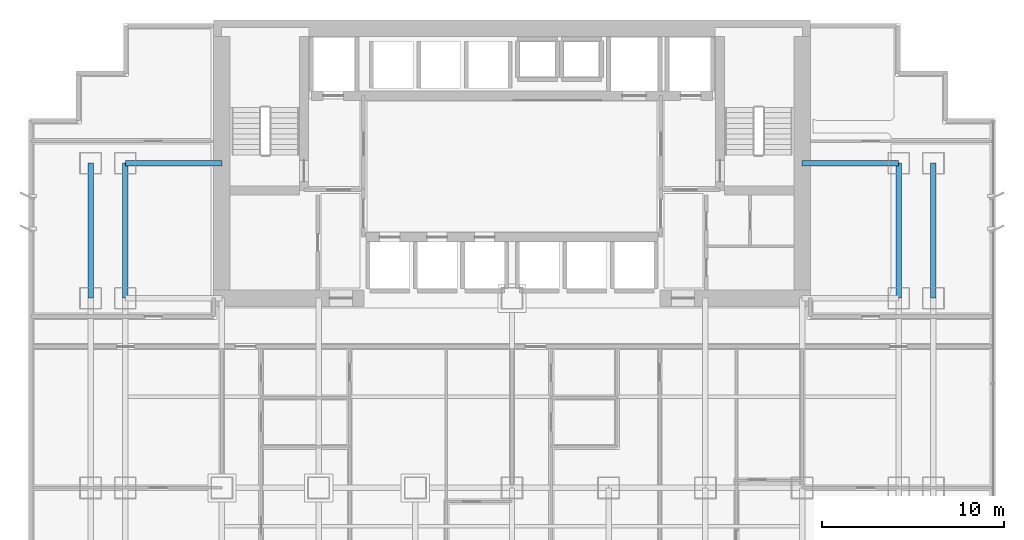
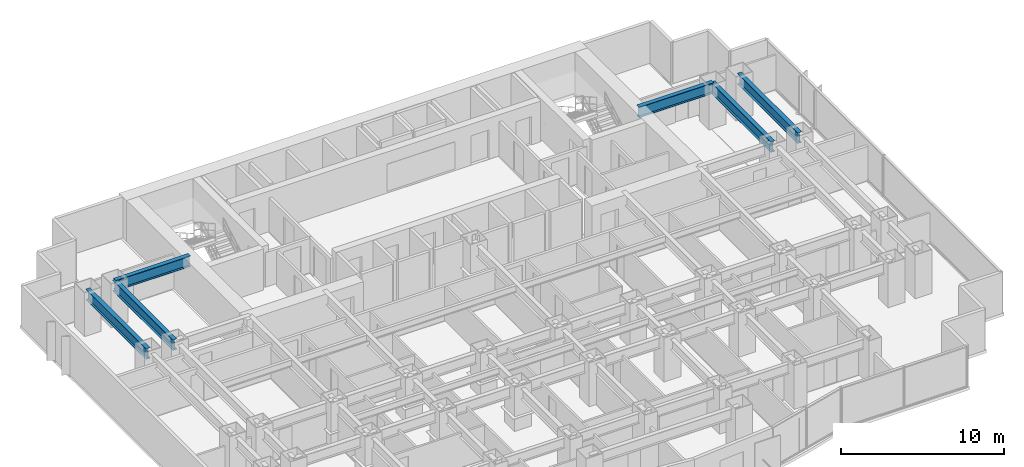
# One storey, part 4 of 12: 6 beams.
"""IFC4 building model written with IfcOpenShell, lengths in metres."""

from ifc_helpers import new_model, si_unit, direction, frame, origin, origin_2d, place, context, subcontext, project, spatial, i_section, extrude, material, material_profile, profile_set, type_object, element, save


model = new_model("IFC4")

# Units and contexts
model_context = context("Model", 3, precision=1e-05, world=origin(), true_north=direction((0.0, 1.0)))
body_context = subcontext(model_context, "Body", "Model", "MODEL_VIEW")
ifc_project = project(units=[si_unit("LENGTHUNIT", "METRE"), si_unit("AREAUNIT", "SQUARE_METRE"), si_unit("VOLUMEUNIT", "CUBIC_METRE"), si_unit("PLANEANGLEUNIT", "RADIAN"), si_unit("MASSUNIT", "GRAM", prefix="KILO")], contexts=[model_context])

# Site, building, storey
site_placement = place(None, origin())
site = spatial("IfcSite", under=ifc_project, at=site_placement, CompositionType="ELEMENT")
building_placement = place(site_placement, origin())
building = spatial("IfcBuilding", under=site, at=building_placement, Name="Qianlan Lanfeng Residences", CompositionType="ELEMENT")
storey_placement = place(building_placement, frame((0.0, 0.0, 47.300048828125)))
storey = spatial("IfcBuildingStorey", under=building, at=storey_placement, Name="L12", CompositionType="ELEMENT", Elevation=47.300048828125)

# Beams
ifc_material = material(Name="Steel SN490B", Category="steel")
ifc_material_profile = material_profile(ifc_material, i_section(OverallWidth=0.300048828125, OverallDepth=0.800048828125, WebThickness=0.01611328125, FlangeThickness=0.028076171875, at=origin_2d()), Name="H 800x300x16x28")
ifc_profile_set = profile_set([ifc_material_profile], Name="Steel SN490B")
beam_type = type_object("IfcBeamType", Name="G-950", PredefinedType="BEAM", material=ifc_profile_set)
for number, where, z_axis, x_axis, name in (
    (1, (5.300048828125, 32.60009765625, 2.679931640625), (1.0, 0.0, 0.0), (0.0, 1.0, 0.0), "Structural beam G-950"),
    (2, (42.39990234375, 32.60009765625, 2.679931640625), (1.0, 0.0, 0.0), (0.0, 1.0, 0.0), "Structural beam G-950"),
):
    element("IfcBeam", number, at=place(storey_placement, frame(where, z_axis=z_axis, x_axis=x_axis)), inside=storey, type_object=beam_type, Name=name, PredefinedType="BEAM", context=body_context, shape_type="SweptSolid", body=[
        extrude(i_section(OverallWidth=0.300048828125, OverallDepth=0.800048828125, WebThickness=0.01611328125, FlangeThickness=0.028076171875, at=origin_2d()), origin(), (0.0, 0.0, 1.0), 5.300048828125),
    ])
for number, where, z_axis, x_axis, name in (
    (3, (3.39990234375, 25.199951171875, 2.679931640625), (0.0, 1.0, 0.0), (-1.0, 0.0, 0.0), "Structural beam G-950"),
    (4, (5.300048828125, 25.199951171875, 2.679931640625), (0.0, 1.0, 0.0), (-1.0, 0.0, 0.0), "Structural beam G-950"),
    (5, (47.699951171875, 25.199951171875, 2.679931640625), (0.0, 1.0, 0.0), (-1.0, 0.0, 0.0), "Structural beam G-950"),
    (6, (49.60009765625, 25.199951171875, 2.679931640625), (0.0, 1.0, 0.0), (-1.0, 0.0, 0.0), "Structural beam G-950"),
):
    element("IfcBeam", number, at=place(storey_placement, frame(where, z_axis=z_axis, x_axis=x_axis)), inside=storey, type_object=beam_type, Name=name, PredefinedType="BEAM", context=body_context, shape_type="SweptSolid", body=[
        extrude(i_section(OverallWidth=0.300048828125, OverallDepth=0.800048828125, WebThickness=0.01611328125, FlangeThickness=0.028076171875, at=origin_2d()), origin(), (0.0, 0.0, 1.0), 7.400146484375),
    ])

save(model, "model.ifc")
